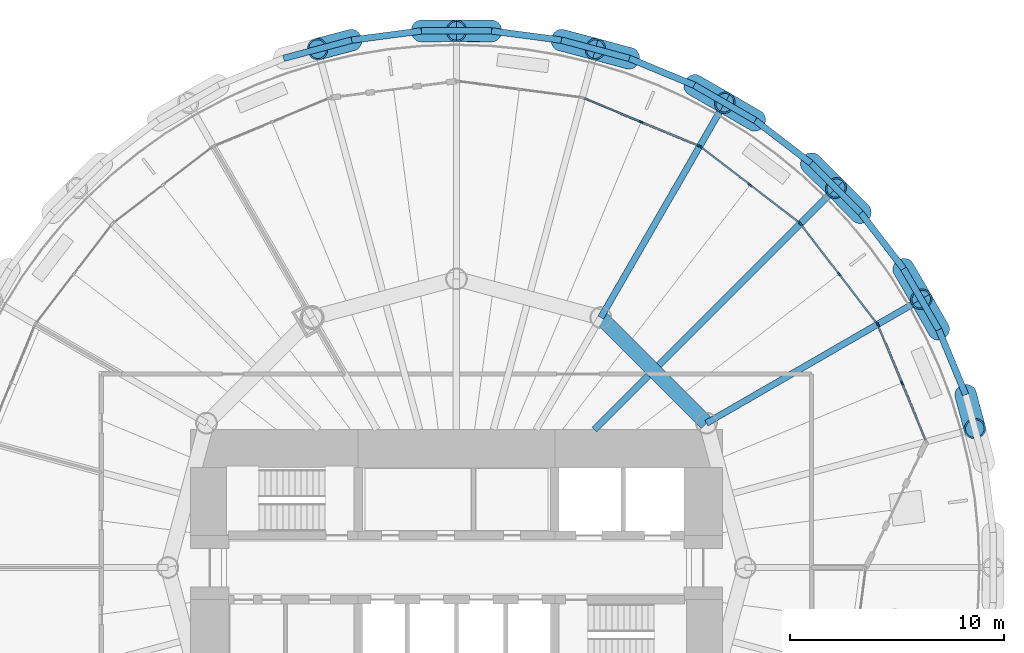
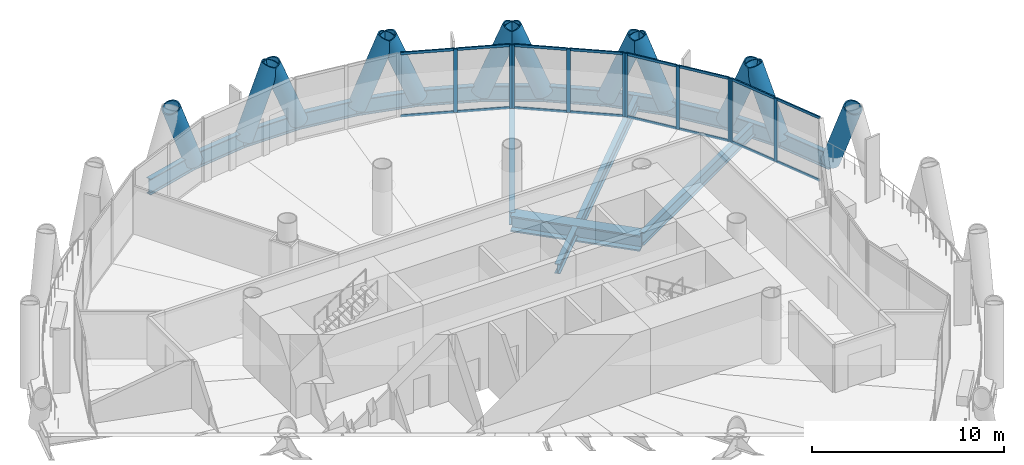
# One storey, part 7 of 15: 38 members, 17 beams, 4 elements without a shape of their own.
"""IFC4 building model written with IfcOpenShell, lengths in metres."""

from ifc_helpers import new_model, si_unit, direction, frame, origin, origin_2d, place, context, subcontext, project, spatial, rectangle, hollow_circle, i_section, extrude, material, material_profile, profile_set, type_object, element, aggregate, save


model = new_model("IFC4")

# Units and contexts
model_context = context("Model", 3, precision=1e-05, world=origin(), true_north=direction((0.0, 1.0)))
body_context = subcontext(model_context, "Body", "Model", "MODEL_VIEW")
ifc_project = project(units=[si_unit("LENGTHUNIT", "METRE"), si_unit("AREAUNIT", "SQUARE_METRE"), si_unit("VOLUMEUNIT", "CUBIC_METRE"), si_unit("PLANEANGLEUNIT", "RADIAN"), si_unit("MASSUNIT", "GRAM", prefix="KILO")], contexts=[model_context])

# Site, building, storey
site_placement = place(None, origin())
site = spatial("IfcSite", under=ifc_project, at=site_placement, CompositionType="ELEMENT")
building_placement = place(site_placement, origin())
building = spatial("IfcBuilding", under=site, at=building_placement, Name="Qaws Media Tower", CompositionType="ELEMENT")
storey_placement = place(building_placement, frame((0.0, 0.0, 122.60009765625)))
storey = spatial("IfcBuildingStorey", under=building, at=storey_placement, Name="L27", CompositionType="ELEMENT", Elevation=122.60009765625)

# Curtain wall, members
ifc_material_1 = material(Name="Aluminium and clear glass", Category="aluminium")
curtain_wall_type = type_object("IfcCurtainWallType", Name="Unitised curtain wall CW-B", PredefinedType="NOTDEFINED", material=ifc_material_1)
curtain_wall_1_placement = place(storey_placement, origin())
curtain_wall_1 = element("IfcCurtainWall", 1, at=curtain_wall_1_placement, inside=storey, type_object=curtain_wall_type, Name="CWB curtain wall L27-02", PredefinedType="NOTDEFINED")
ifc_material_2 = material(Name="Aluminium mullion", Category="aluminium")
ifc_material_profile_1 = material_profile(ifc_material_2, rectangle(XDim=0.080078125, YDim=0.199951171875, at=origin_2d()), Name="80x200")
ifc_profile_set_1 = profile_set([ifc_material_profile_1], Name="Aluminium mullion")
member_type_1 = type_object("IfcMemberType", Name="Curtain wall mullion 80x200", PredefinedType="MULLION", material=ifc_profile_set_1)
member_1_placement = place(storey_placement, frame((80.83837890625, 58.631591796875, 0.0), z_axis=(0.0, 0.0, 1.0), x_axis=(-0.923879516221, -0.382683471693, 0.0)))
member_1 = element("IfcMember", 2, at=member_1_placement, type_object=member_type_1, Name="CWB mullion 2", PredefinedType="MULLION", context=body_context, shape_type="SweptSolid", body=[
    extrude(rectangle(XDim=0.080078125, YDim=0.199951171875, at=origin_2d()), origin(), (0.0, 0.0, 1.0), 4.039794921875),
])
member_2_placement = place(storey_placement, frame((79.71728515625, 61.338134765625, 0.0), z_axis=(0.0, 0.0, 1.0), x_axis=(-0.923879516221, -0.382683471693, 0.0)))
member_2 = element("IfcMember", 3, at=member_2_placement, type_object=member_type_1, Name="CWB mullion 3", PredefinedType="MULLION", context=body_context, shape_type="SweptSolid", body=[
    extrude(rectangle(XDim=0.080078125, YDim=0.199951171875, at=origin_2d()), origin(), (0.0, 0.0, 1.0), 4.039794921875),
])

curtain_wall_2_placement = place(storey_placement, origin())
curtain_wall_2 = element("IfcCurtainWall", 4, at=curtain_wall_2_placement, inside=storey, type_object=curtain_wall_type, Name="CWB curtain wall L27-03", PredefinedType="NOTDEFINED")
member_3_placement = place(storey_placement, frame((79.677734375, 61.40673828125, 0.0), z_axis=(0.0, 0.0, 1.0), x_axis=(-0.793353296007, -0.608761486721, 0.0)))
member_3 = element("IfcMember", 5, at=member_3_placement, type_object=member_type_1, Name="CWB mullion 1", PredefinedType="MULLION", context=body_context, shape_type="SweptSolid", body=[
    extrude(rectangle(XDim=0.080078125, YDim=0.199951171875, at=origin_2d()), origin(), (0.0, 0.0, 1.0), 4.039794921875),
])
member_4_placement = place(storey_placement, frame((77.894287109375, 63.73095703125, 0.0), z_axis=(0.0, 0.0, 1.0), x_axis=(-0.793353296007, -0.608761486721, 0.0)))
member_4 = element("IfcMember", 6, at=member_4_placement, type_object=member_type_1, Name="CWB mullion 2", PredefinedType="MULLION", context=body_context, shape_type="SweptSolid", body=[
    extrude(rectangle(XDim=0.080078125, YDim=0.199951171875, at=origin_2d()), origin(), (0.0, 0.0, 1.0), 4.039794921875),
])
member_5_placement = place(storey_placement, frame((76.111083984375, 66.054931640625, 0.0), z_axis=(0.0, 0.0, 1.0), x_axis=(-0.793353296007, -0.608761486721, 0.0)))
member_5 = element("IfcMember", 7, at=member_5_placement, type_object=member_type_1, Name="CWB mullion 3", PredefinedType="MULLION", context=body_context, shape_type="SweptSolid", body=[
    extrude(rectangle(XDim=0.080078125, YDim=0.199951171875, at=origin_2d()), origin(), (0.0, 0.0, 1.0), 4.039794921875),
])

curtain_wall_3_placement = place(storey_placement, origin())
curtain_wall_3 = element("IfcCurtainWall", 8, at=curtain_wall_3_placement, inside=storey, type_object=curtain_wall_type, Name="CWB curtain wall L27-04", PredefinedType="NOTDEFINED")
member_6_placement = place(storey_placement, frame((76.054931640625, 66.111083984375, 0.0), z_axis=(0.0, 0.0, 1.0), x_axis=(-0.608761486721, -0.793353296007, 0.0)))
member_6 = element("IfcMember", 9, at=member_6_placement, type_object=member_type_1, Name="CWB mullion 1", PredefinedType="MULLION", context=body_context, shape_type="SweptSolid", body=[
    extrude(rectangle(XDim=0.080078125, YDim=0.199951171875, at=origin_2d()), origin(), (0.0, 0.0, 1.0), 4.039794921875),
])
member_7_placement = place(storey_placement, frame((73.73095703125, 67.894287109375, 0.0), z_axis=(0.0, 0.0, 1.0), x_axis=(-0.608761486721, -0.793353296007, 0.0)))
member_7 = element("IfcMember", 10, at=member_7_placement, type_object=member_type_1, Name="CWB mullion 2", PredefinedType="MULLION", context=body_context, shape_type="SweptSolid", body=[
    extrude(rectangle(XDim=0.080078125, YDim=0.199951171875, at=origin_2d()), origin(), (0.0, 0.0, 1.0), 4.039794921875),
])
member_8_placement = place(storey_placement, frame((71.40673828125, 69.677734375, 0.0), z_axis=(0.0, 0.0, 1.0), x_axis=(-0.608761486721, -0.793353296007, 0.0)))
member_8 = element("IfcMember", 11, at=member_8_placement, type_object=member_type_1, Name="CWB mullion 3", PredefinedType="MULLION", context=body_context, shape_type="SweptSolid", body=[
    extrude(rectangle(XDim=0.080078125, YDim=0.199951171875, at=origin_2d()), origin(), (0.0, 0.0, 1.0), 4.039794921875),
])

curtain_wall_4_placement = place(storey_placement, origin())
curtain_wall_4 = element("IfcCurtainWall", 12, at=curtain_wall_4_placement, inside=storey, type_object=curtain_wall_type, Name="CWB curtain wall L27-05", PredefinedType="NOTDEFINED")
member_9_placement = place(storey_placement, frame((71.338134765625, 69.71728515625, 0.0), z_axis=(0.0, 0.0, 1.0), x_axis=(-0.382683471693, -0.923879516221, 0.0)))
member_9 = element("IfcMember", 13, at=member_9_placement, type_object=member_type_1, Name="CWB mullion 1", PredefinedType="MULLION", context=body_context, shape_type="SweptSolid", body=[
    extrude(rectangle(XDim=0.080078125, YDim=0.199951171875, at=origin_2d()), origin(), (0.0, 0.0, 1.0), 4.039794921875),
])
member_10_placement = place(storey_placement, frame((68.631591796875, 70.83837890625, 0.0), z_axis=(0.0, 0.0, 1.0), x_axis=(-0.382683471693, -0.923879516221, 0.0)))
member_10 = element("IfcMember", 14, at=member_10_placement, type_object=member_type_1, Name="CWB mullion 2", PredefinedType="MULLION", context=body_context, shape_type="SweptSolid", body=[
    extrude(rectangle(XDim=0.080078125, YDim=0.199951171875, at=origin_2d()), origin(), (0.0, 0.0, 1.0), 4.039794921875),
])

# Member
ifc_material_3 = material(Name="Aluminium transom", Category="aluminium")
ifc_material_profile_2 = material_profile(ifc_material_3, rectangle(XDim=0.080078125, YDim=0.159912109375, at=origin_2d()), Name="80x160")
ifc_profile_set_2 = profile_set([ifc_material_profile_2], Name="Aluminium transom")
member_type_2 = type_object("IfcMemberType", Name="Curtain wall transom 80x160", PredefinedType="USERDEFINED", material=ifc_profile_set_2)
member_11_placement = place(storey_placement, frame((81.944091796875, 55.962158203125, 0.039794921875), z_axis=(-0.382649436764, 0.923893613217, 0.0), x_axis=(-0.923893613217, -0.382649436764, 0.0)))
member_11 = element("IfcMember", 15, at=member_11_placement, type_object=member_type_2, Name="CWB transom 1.1", ObjectType="TRANSOM", PredefinedType="USERDEFINED", context=body_context, shape_type="SweptSolid", body=[
    extrude(rectangle(XDim=0.080078125, YDim=0.159912109375, at=origin_2d()), origin(), (0.0, 0.0, 1.0), 2.849365234375),
])

member_12_placement = place(storey_placement, frame((81.944091796875, 55.962158203125, 4.0), z_axis=(-0.382649436764, 0.923893613217, 0.0), x_axis=(-0.923893613217, -0.382649436764, 0.0)))
member_12 = element("IfcMember", 16, at=member_12_placement, type_object=member_type_2, Name="CWB transom 1.2", ObjectType="TRANSOM", PredefinedType="USERDEFINED", context=body_context, shape_type="SweptSolid", body=[
    extrude(rectangle(XDim=0.080078125, YDim=0.159912109375, at=origin_2d()), origin(), (0.0, 0.0, 1.0), 2.849365234375),
])

member_13_placement = place(storey_placement, frame((80.8232421875, 58.66845703125, 0.039794921875), z_axis=(-0.38272256834, 0.923863320889, 0.0), x_axis=(-0.923863320889, -0.38272256834, 0.0)))
member_13 = element("IfcMember", 17, at=member_13_placement, type_object=member_type_2, Name="CWB transom 2.1", ObjectType="TRANSOM", PredefinedType="USERDEFINED", context=body_context, shape_type="SweptSolid", body=[
    extrude(rectangle(XDim=0.080078125, YDim=0.159912109375, at=origin_2d()), origin(), (0.0, 0.0, 1.0), 2.849609375),
])

member_14_placement = place(storey_placement, frame((80.8232421875, 58.66845703125, 4.0), z_axis=(-0.38272256834, 0.923863320889, 0.0), x_axis=(-0.923863320889, -0.38272256834, 0.0)))
member_14 = element("IfcMember", 18, at=member_14_placement, type_object=member_type_2, Name="CWB transom 2.2", ObjectType="TRANSOM", PredefinedType="USERDEFINED", context=body_context, shape_type="SweptSolid", body=[
    extrude(rectangle(XDim=0.080078125, YDim=0.159912109375, at=origin_2d()), origin(), (0.0, 0.0, 1.0), 2.849609375),
])

aggregate(curtain_wall_1, [member_1, member_2, member_11, member_12, member_13, member_14])

member_15_placement = place(storey_placement, frame((79.6533203125, 61.4384765625, 0.039794921875), z_axis=(-0.608737274752, 0.79337187392, 0.0), x_axis=(-0.79337187392, -0.608737274752, 0.0)))
member_15 = element("IfcMember", 19, at=member_15_placement, type_object=member_type_2, Name="CWB transom 1.1", ObjectType="TRANSOM", PredefinedType="USERDEFINED", context=body_context, shape_type="SweptSolid", body=[
    extrude(rectangle(XDim=0.080078125, YDim=0.159912109375, at=origin_2d()), origin(), (0.0, 0.0, 1.0), 2.849609375),
])

member_16_placement = place(storey_placement, frame((79.6533203125, 61.4384765625, 4.0), z_axis=(-0.608737274752, 0.79337187392, 0.0), x_axis=(-0.79337187392, -0.608737274752, 0.0)))
member_16 = element("IfcMember", 20, at=member_16_placement, type_object=member_type_2, Name="CWB transom 1.2", ObjectType="TRANSOM", PredefinedType="USERDEFINED", context=body_context, shape_type="SweptSolid", body=[
    extrude(rectangle(XDim=0.080078125, YDim=0.159912109375, at=origin_2d()), origin(), (0.0, 0.0, 1.0), 2.849609375),
])

member_17_placement = place(storey_placement, frame((77.8701171875, 63.7626953125, 0.039794921875), z_axis=(-0.608778655024, 0.793340122008, 0.0), x_axis=(-0.793340122008, -0.608778655024, 0.0)))
member_17 = element("IfcMember", 21, at=member_17_placement, type_object=member_type_2, Name="CWB transom 2.1", ObjectType="TRANSOM", PredefinedType="USERDEFINED", context=body_context, shape_type="SweptSolid", body=[
    extrude(rectangle(XDim=0.080078125, YDim=0.159912109375, at=origin_2d()), origin(), (0.0, 0.0, 1.0), 2.849365234375),
])

member_18_placement = place(storey_placement, frame((77.8701171875, 63.7626953125, 4.0), z_axis=(-0.608778655024, 0.793340122008, 0.0), x_axis=(-0.793340122008, -0.608778655024, 0.0)))
member_18 = element("IfcMember", 22, at=member_18_placement, type_object=member_type_2, Name="CWB transom 2.2", ObjectType="TRANSOM", PredefinedType="USERDEFINED", context=body_context, shape_type="SweptSolid", body=[
    extrude(rectangle(XDim=0.080078125, YDim=0.159912109375, at=origin_2d()), origin(), (0.0, 0.0, 1.0), 2.849365234375),
])

aggregate(curtain_wall_2, [member_3, member_4, member_5, member_15, member_16, member_17, member_18])

member_19_placement = place(storey_placement, frame((76.023193359375, 66.135498046875, 0.039794921875), z_axis=(-0.793340122008, 0.608778655024, 0.0), x_axis=(-0.608778655024, -0.793340122008, 0.0)))
member_19 = element("IfcMember", 23, at=member_19_placement, type_object=member_type_2, Name="CWB transom 1.1", ObjectType="TRANSOM", PredefinedType="USERDEFINED", context=body_context, shape_type="SweptSolid", body=[
    extrude(rectangle(XDim=0.080078125, YDim=0.159912109375, at=origin_2d()), origin(), (0.0, 0.0, 1.0), 2.849365234375),
])

member_20_placement = place(storey_placement, frame((76.023193359375, 66.135498046875, 4.0), z_axis=(-0.793340122008, 0.608778655024, 0.0), x_axis=(-0.608778655024, -0.793340122008, 0.0)))
member_20 = element("IfcMember", 24, at=member_20_placement, type_object=member_type_2, Name="CWB transom 1.2", ObjectType="TRANSOM", PredefinedType="USERDEFINED", context=body_context, shape_type="SweptSolid", body=[
    extrude(rectangle(XDim=0.080078125, YDim=0.159912109375, at=origin_2d()), origin(), (0.0, 0.0, 1.0), 2.849365234375),
])

member_21_placement = place(storey_placement, frame((73.69921875, 67.918701171875, 0.039794921875), z_axis=(-0.79337187392, 0.608737274752, 0.0), x_axis=(-0.608737274752, -0.79337187392, 0.0)))
member_21 = element("IfcMember", 25, at=member_21_placement, type_object=member_type_2, Name="CWB transom 2.1", ObjectType="TRANSOM", PredefinedType="USERDEFINED", context=body_context, shape_type="SweptSolid", body=[
    extrude(rectangle(XDim=0.080078125, YDim=0.159912109375, at=origin_2d()), origin(), (0.0, 0.0, 1.0), 2.849609375),
])

member_22_placement = place(storey_placement, frame((73.69921875, 67.918701171875, 4.0), z_axis=(-0.79337187392, 0.608737274752, 0.0), x_axis=(-0.608737274752, -0.79337187392, 0.0)))
member_22 = element("IfcMember", 26, at=member_22_placement, type_object=member_type_2, Name="CWB transom 2.2", ObjectType="TRANSOM", PredefinedType="USERDEFINED", context=body_context, shape_type="SweptSolid", body=[
    extrude(rectangle(XDim=0.080078125, YDim=0.159912109375, at=origin_2d()), origin(), (0.0, 0.0, 1.0), 2.849609375),
])

aggregate(curtain_wall_3, [member_6, member_7, member_8, member_19, member_20, member_21, member_22])

member_23_placement = place(storey_placement, frame((71.301025390625, 69.732666015625, 0.039794921875), z_axis=(-0.923863320889, 0.38272256834, 0.0), x_axis=(-0.38272256834, -0.923863320889, 0.0)))
member_23 = element("IfcMember", 27, at=member_23_placement, type_object=member_type_2, Name="CWB transom 1.1", ObjectType="TRANSOM", PredefinedType="USERDEFINED", context=body_context, shape_type="SweptSolid", body=[
    extrude(rectangle(XDim=0.080078125, YDim=0.159912109375, at=origin_2d()), origin(), (0.0, 0.0, 1.0), 2.849609375),
])

member_24_placement = place(storey_placement, frame((71.301025390625, 69.732666015625, 4.0), z_axis=(-0.923863320889, 0.38272256834, 0.0), x_axis=(-0.38272256834, -0.923863320889, 0.0)))
member_24 = element("IfcMember", 28, at=member_24_placement, type_object=member_type_2, Name="CWB transom 1.2", ObjectType="TRANSOM", PredefinedType="USERDEFINED", context=body_context, shape_type="SweptSolid", body=[
    extrude(rectangle(XDim=0.080078125, YDim=0.159912109375, at=origin_2d()), origin(), (0.0, 0.0, 1.0), 2.849609375),
])

member_25_placement = place(storey_placement, frame((68.5947265625, 70.853759765625, 0.039794921875), z_axis=(-0.923893613217, 0.382649436764, 0.0), x_axis=(-0.382649436764, -0.923893613217, 0.0)))
member_25 = element("IfcMember", 29, at=member_25_placement, type_object=member_type_2, Name="CWB transom 2.1", ObjectType="TRANSOM", PredefinedType="USERDEFINED", context=body_context, shape_type="SweptSolid", body=[
    extrude(rectangle(XDim=0.080078125, YDim=0.159912109375, at=origin_2d()), origin(), (0.0, 0.0, 1.0), 2.849365234375),
])

member_26_placement = place(storey_placement, frame((68.5947265625, 70.853759765625, 4.0), z_axis=(-0.923893613217, 0.382649436764, 0.0), x_axis=(-0.382649436764, -0.923893613217, 0.0)))
member_26 = element("IfcMember", 30, at=member_26_placement, type_object=member_type_2, Name="CWB transom 2.2", ObjectType="TRANSOM", PredefinedType="USERDEFINED", context=body_context, shape_type="SweptSolid", body=[
    extrude(rectangle(XDim=0.080078125, YDim=0.159912109375, at=origin_2d()), origin(), (0.0, 0.0, 1.0), 2.849365234375),
])

aggregate(curtain_wall_4, [member_9, member_10, member_23, member_24, member_25, member_26])

# Members
ifc_material_4 = material(Name="Steel S460", Category="steel")
ifc_material_profile_3 = material_profile(ifc_material_4, hollow_circle(Radius=0.508056640625, WallThickness=0.070068359375, at=origin_2d()), Name="CHS 1016x70")
ifc_profile_set_3 = profile_set([ifc_material_profile_3], Name="Steel S460")
member_type_3 = type_object("IfcMemberType", Name="Diagrid member CHS 1016x70", PredefinedType="USERDEFINED", material=ifc_profile_set_3)
for number, where, z_axis, x_axis, name in (
    (31, (82.556396484375, 61.12353515625, -0.6640625), (-0.181592959618, 0.316258617899, 0.931130755384), (-0.867209184254, -0.497944003624, 0.0), "DG3 diagrid L27 A02"),
    (32, (83.815185546875, 58.084228515625, -0.6640625), (0.095207834857, -0.352036246678, 0.931131542375), (0.965319934885, 0.261069767138, 0.0), "DG3 diagrid L27 B02"),
    (33, (78.90869140625, 66.58251953125, -0.6640625), (-0.257263102594, 0.258453884891, 0.931137629692), (-0.708737590182, -0.705472202332, 0.0), "DG3 diagrid L27 A03"),
    (34, (80.911376953125, 63.97265625, -0.6640625), (0.183107968117, -0.315391702695, 0.931128103906), (0.864815971957, 0.502088970848, 0.0), "DG3 diagrid L27 B03"),
    (35, (73.97265625, 70.911376953125, -0.6640625), (-0.315391702695, 0.183107968117, 0.931128103906), (-0.502088970848, -0.864815971957, 0.0), "DG3 diagrid L27 A04"),
    (36, (76.58251953125, 68.90869140625, -0.6640625), (0.258453884891, -0.257263102594, 0.931137629692), (0.705472202332, 0.708737590182, 0.0), "DG3 diagrid L27 B04"),
    (37, (68.084228515625, 73.815185546875, -0.6640625), (-0.352036246678, 0.095207834857, 0.931131542375), (-0.261069767138, -0.965319934885, 0.0), "DG3 diagrid L27 A05"),
    (38, (71.12353515625, 72.556396484375, -0.6640625), (0.316258617899, -0.181592959618, 0.931130755384), (0.497944003624, 0.867209184254, 0.0), "DG3 diagrid L27 B05"),
    (39, (61.644775390625, 75.09619140625, -0.6640625), (-0.364652263456, 0.000866028828, 0.931143370674), (-0.002374937639, -0.999997179832, 0.0), "DG3 diagrid L27 A06"),
    (40, (64.906494140625, 74.666748046875, -0.6640625), (0.35246951994, -0.093584121618, 0.931132240713), (0.256618631553, 0.966512740702, 0.0), "DG3 diagrid L27 B06"),
    (41, (55.093505859375, 74.666748046875, -0.6640625), (-0.35246951994, -0.093584121618, 0.931132240713), (0.256618631553, -0.966512740702, 0.0), "DG3 diagrid L27 A07"),
    (42, (58.355224609375, 75.09619140625, -0.6640625), (0.364652263456, 0.000866028828, 0.931143370674), (-0.002374937639, 0.999997179832, 0.0), "DG3 diagrid L27 B07"),
):
    element("IfcMember", number, at=place(storey_placement, frame(where, z_axis=z_axis, x_axis=x_axis)), inside=storey, type_object=member_type_3, Name=name, ObjectType="DIAGRID", PredefinedType="USERDEFINED", context=body_context, shape_type="SweptSolid", body=[
        extrude(hollow_circle(Radius=0.508056640625, WallThickness=0.070068359375, at=origin_2d()), origin(), (0.0, 0.0, 1.0), 4.510498046875),
    ])

# Beams
ifc_material_5 = material(Name="Steel S460", Category="steel")
ifc_material_profile_4 = material_profile(ifc_material_5, i_section(OverallWidth=0.302001953125, OverallDepth=1.008056640625, WebThickness=0.02099609375, FlangeThickness=0.0400390625, FilletRadius=0.030029296875, at=origin_2d()), Name="HE 1000 M")
ifc_profile_set_4 = profile_set([ifc_material_profile_4], Name="Steel S460")
beam_type_1 = type_object("IfcBeamType", Name="Edge ring beam HE 1000 M", PredefinedType="BEAM", material=ifc_profile_set_4)
beam_1_placement = place(storey_placement, frame((83.815185546875, 58.084228515625, -0.6640625), z_axis=(-0.382648931533, 0.923893822469, 0.0), x_axis=(-0.923893822469, -0.382648931533, 0.0)))
element("IfcBeam", 43, at=beam_1_placement, inside=storey, type_object=beam_type_1, Name="RB3 edge ring beam L27-03", PredefinedType="BEAM", context=body_context, shape_type="SweptSolid", body=[
    extrude(i_section(OverallWidth=0.302001953125, OverallDepth=1.008056640625, WebThickness=0.02099609375, FlangeThickness=0.0400390625, FilletRadius=0.030029296875, at=origin_2d()), origin(), (0.0, 0.0, 1.0), 3.28955078125),
])
beam_2_placement = place(storey_placement, frame((82.556396484375, 61.12353515625, -0.6640625), z_axis=(-0.50001794124, 0.866015045157, 0.0), x_axis=(-0.866015045157, -0.50001794124, 0.0)))
element("IfcBeam", 44, at=beam_2_placement, inside=storey, type_object=beam_type_1, Name="RB3 edge ring beam L27-04", PredefinedType="BEAM", context=body_context, shape_type="SweptSolid", body=[
    extrude(i_section(OverallWidth=0.302001953125, OverallDepth=1.008056640625, WebThickness=0.02099609375, FlangeThickness=0.0400390625, FilletRadius=0.030029296875, at=origin_2d()), origin(), (0.0, 0.0, 1.0), 3.2900390625),
])
for number, where, z_axis, x_axis, name in (
    (45, (80.911376953125, 63.97265625, -0.6640625), (-0.608774250961, 0.793343501496, 0.0), (-0.793343501496, -0.608774250961, 0.0), "RB3 edge ring beam L27-05"),
    (46, (78.90869140625, 66.58251953125, -0.6640625), (-0.707106781187, 0.707106781187, 0.0), (-0.707106781187, -0.707106781187, 0.0), "RB3 edge ring beam L27-06"),
    (47, (76.58251953125, 68.90869140625, -0.6640625), (-0.793343501496, 0.608774250961, 0.0), (-0.608774250961, -0.793343501496, 0.0), "RB3 edge ring beam L27-07"),
):
    element("IfcBeam", number, at=place(storey_placement, frame(where, z_axis=z_axis, x_axis=x_axis)), inside=storey, type_object=beam_type_1, Name=name, PredefinedType="BEAM", context=body_context, shape_type="SweptSolid", body=[
        extrude(i_section(OverallWidth=0.302001953125, OverallDepth=1.008056640625, WebThickness=0.02099609375, FlangeThickness=0.0400390625, FilletRadius=0.030029296875, at=origin_2d()), origin(), (0.0, 0.0, 1.0), 3.289794921875),
    ])
beam_3_placement = place(storey_placement, frame((73.97265625, 70.911376953125, -0.6640625), z_axis=(-0.866015045157, 0.50001794124, 0.0), x_axis=(-0.50001794124, -0.866015045157, 0.0)))
element("IfcBeam", 48, at=beam_3_placement, inside=storey, type_object=beam_type_1, Name="RB3 edge ring beam L27-08", PredefinedType="BEAM", context=body_context, shape_type="SweptSolid", body=[
    extrude(i_section(OverallWidth=0.302001953125, OverallDepth=1.008056640625, WebThickness=0.02099609375, FlangeThickness=0.0400390625, FilletRadius=0.030029296875, at=origin_2d()), origin(), (0.0, 0.0, 1.0), 3.2900390625),
])
beam_4_placement = place(storey_placement, frame((71.12353515625, 72.556396484375, -0.6640625), z_axis=(-0.923893822469, 0.382648931533, 0.0), x_axis=(-0.382648931533, -0.923893822469, 0.0)))
element("IfcBeam", 49, at=beam_4_placement, inside=storey, type_object=beam_type_1, Name="RB3 edge ring beam L27-09", PredefinedType="BEAM", context=body_context, shape_type="SweptSolid", body=[
    extrude(i_section(OverallWidth=0.302001953125, OverallDepth=1.008056640625, WebThickness=0.02099609375, FlangeThickness=0.0400390625, FilletRadius=0.030029296875, at=origin_2d()), origin(), (0.0, 0.0, 1.0), 3.28955078125),
])
for number, where, z_axis, x_axis, name in (
    (50, (68.084228515625, 73.815185546875, -0.6640625), (-0.965918900074, 0.258844892706, 0.0), (-0.258844892706, -0.965918900074, 0.0), "RB3 edge ring beam L27-10"),
    (51, (64.906494140625, 74.666748046875, -0.6640625), (-0.991443683639, 0.130535137689, 0.0), (-0.130535137689, -0.991443683639, 0.0), "RB3 edge ring beam L27-11"),
):
    element("IfcBeam", number, at=place(storey_placement, frame(where, z_axis=z_axis, x_axis=x_axis)), inside=storey, type_object=beam_type_1, Name=name, PredefinedType="BEAM", context=body_context, shape_type="SweptSolid", body=[
        extrude(i_section(OverallWidth=0.302001953125, OverallDepth=1.008056640625, WebThickness=0.02099609375, FlangeThickness=0.0400390625, FilletRadius=0.030029296875, at=origin_2d()), origin(), (0.0, 0.0, 1.0), 3.289794921875),
    ])
beam_5_placement = place(storey_placement, frame((61.644775390625, 75.09619140625, -0.6640625), z_axis=(-1.0, 0.0, 0.0), x_axis=(0.0, -1.0, 0.0)))
element("IfcBeam", 52, at=beam_5_placement, inside=storey, type_object=beam_type_1, Name="RB3 edge ring beam L27-12", PredefinedType="BEAM", context=body_context, shape_type="SweptSolid", body=[
    extrude(i_section(OverallWidth=0.302001953125, OverallDepth=1.008056640625, WebThickness=0.02099609375, FlangeThickness=0.0400390625, FilletRadius=0.030029296875, at=origin_2d()), origin(), (0.0, 0.0, 1.0), 3.28955078125),
])
for number, where, z_axis, x_axis, name in (
    (53, (58.355224609375, 75.09619140625, -0.6640625), (-0.991443683639, -0.130535137689, 0.0), (0.130535137689, -0.991443683639, 0.0), "RB3 edge ring beam L27-13"),
    (54, (55.093505859375, 74.666748046875, -0.6640625), (-0.965918900074, -0.258844892706, 0.0), (0.258844892706, -0.965918900074, 0.0), "RB3 edge ring beam L27-14"),
):
    element("IfcBeam", number, at=place(storey_placement, frame(where, z_axis=z_axis, x_axis=x_axis)), inside=storey, type_object=beam_type_1, Name=name, PredefinedType="BEAM", context=body_context, shape_type="SweptSolid", body=[
        extrude(i_section(OverallWidth=0.302001953125, OverallDepth=1.008056640625, WebThickness=0.02099609375, FlangeThickness=0.0400390625, FilletRadius=0.030029296875, at=origin_2d()), origin(), (0.0, 0.0, 1.0), 3.289794921875),
    ])
ifc_material_6 = material(Name="Steel S460", Category="steel")
ifc_material_profile_5 = material_profile(ifc_material_6, i_section(OverallWidth=0.699951171875, OverallDepth=1.0, WebThickness=0.034912109375, FlangeThickness=0.090087890625, at=origin_2d()), Name="PG 1000x700")
ifc_profile_set_5 = profile_set([ifc_material_profile_5], Name="Steel S460")
beam_type_2 = type_object("IfcBeamType", Name="Inner ring girder PG 1000x700", PredefinedType="BEAM", material=ifc_profile_set_5)
beam_6_placement = place(storey_placement, frame((71.69140625, 56.75, -0.66015625), z_axis=(-0.707106781187, 0.707106781187, 0.0), x_axis=(-0.707106781187, -0.707106781187, 0.0)))
element("IfcBeam", 55, at=beam_6_placement, inside=storey, type_object=beam_type_2, Name="B3 inner ring beam L27 I02-I03", PredefinedType="BEAM", context=body_context, shape_type="SweptSolid", body=[
    extrude(i_section(OverallWidth=0.699951171875, OverallDepth=1.0, WebThickness=0.034912109375, FlangeThickness=0.090087890625, at=origin_2d()), origin(), (0.0, 0.0, 1.0), 6.98828125),
])
ifc_material_7 = material(Name="Steel S355", Category="steel")
ifc_material_profile_6 = material_profile(ifc_material_7, i_section(OverallWidth=0.304931640625, OverallDepth=0.6201171875, WebThickness=0.02099609375, FlangeThickness=0.0400390625, FilletRadius=0.027099609375, at=origin_2d()), Name="HE 600 M")
ifc_profile_set_6 = profile_set([ifc_material_profile_6], Name="Steel S355")
beam_type_3 = type_object("IfcBeamType", Name="Radial beam HE 600 M, core side", PredefinedType="BEAM", material=ifc_profile_set_6)
beam_7_placement = place(storey_placement, frame((66.449951171875, 56.449951171875, -0.47021484375), z_axis=(0.707106781187, 0.707106781187, 0.0), x_axis=(-0.707106781187, 0.707106781187, 0.0)))
element("IfcBeam", 56, at=beam_7_placement, inside=storey, type_object=beam_type_3, Name="B2 radial beam L27 04", PredefinedType="BEAM", context=body_context, shape_type="SweptSolid", body=[
    extrude(i_section(OverallWidth=0.304931640625, OverallDepth=0.6201171875, WebThickness=0.02099609375, FlangeThickness=0.0400390625, FilletRadius=0.027099609375, at=origin_2d()), origin(), (0.0, 0.0, 1.0), 3.568359375),
])
ifc_material_8 = material(Name="Steel S355", Category="steel")
ifc_material_profile_7 = material_profile(ifc_material_8, i_section(OverallWidth=0.300048828125, OverallDepth=0.800048828125, WebThickness=0.017578125, FlangeThickness=0.032958984375, FilletRadius=0.030029296875, at=origin_2d()), Name="HE 800 B")
ifc_profile_set_7 = profile_set([ifc_material_profile_7], Name="Steel S355")
beam_type_4 = type_object("IfcBeamType", Name="Radial beam HE 800 B", PredefinedType="BEAM", material=ifc_profile_set_7)
beam_8_placement = place(storey_placement, frame((71.69140625, 56.75, -0.56005859375), z_axis=(0.8660229056, 0.500004326958, 0.0), x_axis=(-0.500004326958, 0.8660229056, 0.0)))
element("IfcBeam", 57, at=beam_8_placement, inside=storey, type_object=beam_type_4, Name="B1 radial beam L27 03", PredefinedType="BEAM", context=body_context, shape_type="SweptSolid", body=[
    extrude(i_section(OverallWidth=0.300048828125, OverallDepth=0.800048828125, WebThickness=0.017578125, FlangeThickness=0.032958984375, FilletRadius=0.030029296875, at=origin_2d()), origin(), (0.0, 0.0, 1.0), 11.59619140625),
])
beam_9_placement = place(storey_placement, frame((69.46826171875, 59.46826171875, -0.56005859375), z_axis=(0.707106781187, 0.707106781187, 0.0), x_axis=(-0.707106781187, 0.707106781187, 0.0)))
element("IfcBeam", 58, at=beam_9_placement, inside=storey, type_object=beam_type_4, Name="B1 radial beam L27 04", PredefinedType="BEAM", context=body_context, shape_type="SweptSolid", body=[
    extrude(i_section(OverallWidth=0.300048828125, OverallDepth=0.800048828125, WebThickness=0.017578125, FlangeThickness=0.032958984375, FilletRadius=0.030029296875, at=origin_2d()), origin(), (0.0, 0.0, 1.0), 11.705810546875),
])
beam_10_placement = place(storey_placement, frame((66.75, 61.69140625, -0.56005859375), z_axis=(0.500004326958, 0.8660229056, 0.0), x_axis=(-0.8660229056, 0.500004326958, 0.0)))
element("IfcBeam", 59, at=beam_10_placement, inside=storey, type_object=beam_type_4, Name="B1 radial beam L27 05", PredefinedType="BEAM", context=body_context, shape_type="SweptSolid", body=[
    extrude(i_section(OverallWidth=0.300048828125, OverallDepth=0.800048828125, WebThickness=0.017578125, FlangeThickness=0.032958984375, FilletRadius=0.030029296875, at=origin_2d()), origin(), (0.0, 0.0, 1.0), 11.59619140625),
])

save(model, "model.ifc")
